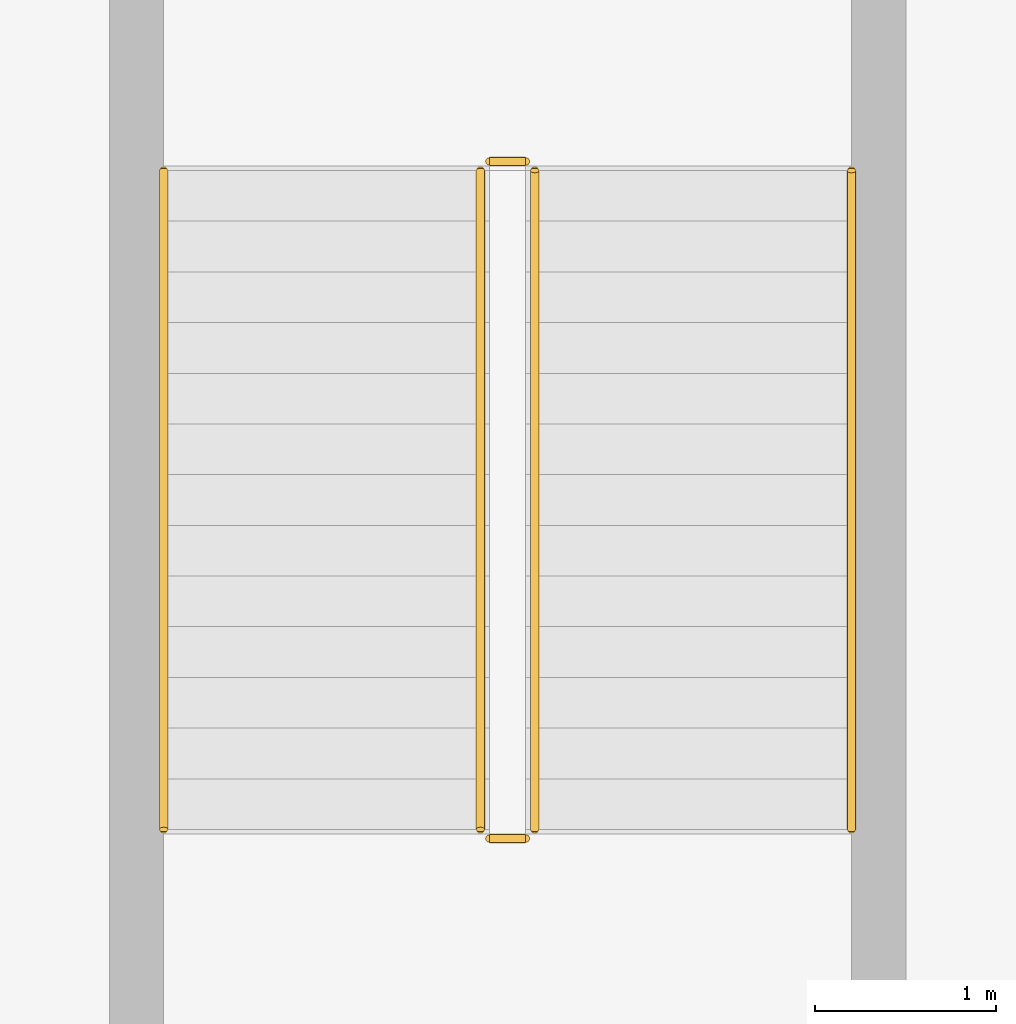
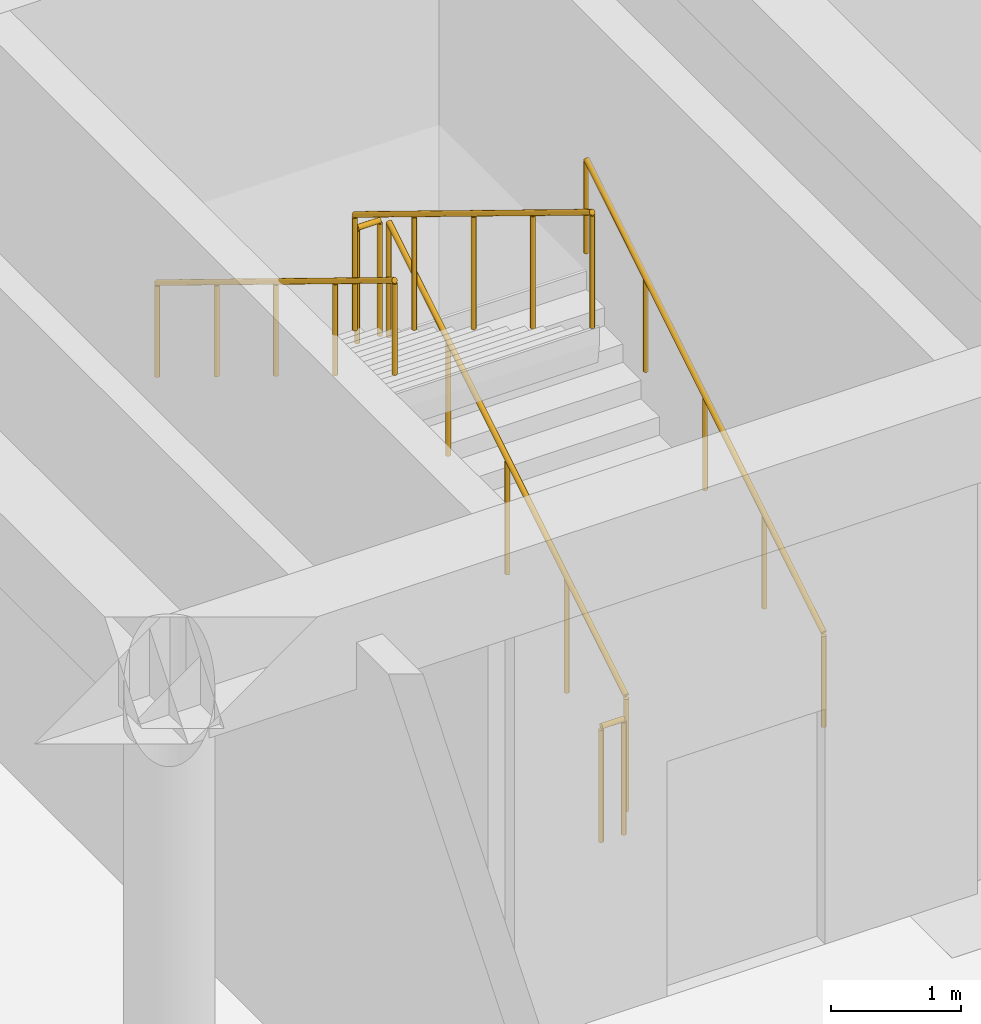
# One storey, part 37 of 51: 6 railings.
"""IFC4 building model written with IfcOpenShell, lengths in metres."""

from ifc_helpers import new_model, si_unit, direction, frame, origin, origin_2d, place, context, subcontext, project, spatial, circle, extrude, material, type_object, element, save


model = new_model("IFC4")

# Units and contexts
model_context = context("Model", 3, precision=1e-05, world=origin(), true_north=direction((0.0, 1.0)))
body_context = subcontext(model_context, "Body", "Model", "MODEL_VIEW")
ifc_project = project(units=[si_unit("LENGTHUNIT", "METRE"), si_unit("AREAUNIT", "SQUARE_METRE"), si_unit("VOLUMEUNIT", "CUBIC_METRE"), si_unit("PLANEANGLEUNIT", "RADIAN"), si_unit("MASSUNIT", "GRAM", prefix="KILO")], contexts=[model_context])

# Site, building, storey
site_placement = place(None, origin())
site = spatial("IfcSite", under=ifc_project, at=site_placement, CompositionType="ELEMENT")
building_placement = place(site_placement, origin())
building = spatial("IfcBuilding", under=site, at=building_placement, Name="Varncliffe General Hospital", CompositionType="ELEMENT")
storey_placement = place(building_placement, frame((0.0, 0.0, -4.800048828125)))
storey = spatial("IfcBuildingStorey", under=building, at=storey_placement, Name="B1", CompositionType="ELEMENT", Elevation=-4.800048828125)

# Railings
ifc_material = material(Name="Powder-coated hospital steel guardrail and handrail", Category="steel")
railing_type_1 = type_object("IfcRailingType", Name="Stair and Ramp Handrail HR46", PredefinedType="HANDRAIL", material=ifc_material)
railing_1_placement = place(storey_placement, frame((116.14990234375, 17.60009765625, 0.346923828125)))
element("IfcRailing", 1, at=railing_1_placement, inside=storey, type_object=railing_type_1, Name="B1 ST10 stair handrail 1", PredefinedType="HANDRAIL", context=body_context, shape_type="SweptSolid", body=[
    extrude(circle(Radius=0.02392578125, at=origin_2d()), frame((0.0, 0.0, 0.8759765625), z_axis=(0.0, 0.852850264322, 0.5221555579), x_axis=(-1.0, 0.0, 0.0)), (0.0, 0.0, 1.0), 4.267822265625),
    extrude(circle(Radius=0.02099609375, at=origin_2d()), origin(), (0.0, 0.0, 1.0), 0.851806640625),
    extrude(circle(Radius=0.02099609375, at=origin_2d()), frame((0.0, 0.909912109375, 0.55712890625)), (0.0, 0.0, 1.0), 0.851806640625),
    extrude(circle(Radius=0.02099609375, at=origin_2d()), frame((0.0, 1.81982421875, 1.1142578125)), (0.0, 0.0, 1.0), 0.851806640625),
    extrude(circle(Radius=0.02099609375, at=origin_2d()), frame((0.0, 2.72998046875, 1.67138671875)), (0.0, 0.0, 1.0), 0.851806640625),
    extrude(circle(Radius=0.02099609375, at=origin_2d()), frame((0.0, 3.639892578125, 2.228515625)), (0.0, 0.0, 1.0), 0.851806640625),
])
railing_2_placement = place(storey_placement, frame((112.35009765625, 21.239990234375, 2.746826171875)))
element("IfcRailing", 2, at=railing_2_placement, inside=storey, type_object=railing_type_1, Name="B1 ST10 stair handrail 2", PredefinedType="HANDRAIL", context=body_context, shape_type="SweptSolid", body=[
    extrude(circle(Radius=0.02392578125, at=origin_2d()), frame((0.0, 0.0, 0.8759765625), z_axis=(0.0, -0.852824790078, 0.522197163366), x_axis=(1.0, 0.0, 0.0)), (0.0, 0.0, 1.0), 4.26806640625),
    extrude(circle(Radius=0.02099609375, at=origin_2d()), origin(), (0.0, 0.0, 1.0), 0.851806640625),
    extrude(circle(Radius=0.02099609375, at=origin_2d()), frame((0.0, -0.909912109375, 0.55712890625)), (0.0, 0.0, 1.0), 0.851806640625),
    extrude(circle(Radius=0.02099609375, at=origin_2d()), frame((0.0, -1.81982421875, 1.1142578125)), (0.0, 0.0, 1.0), 0.851806640625),
    extrude(circle(Radius=0.02099609375, at=origin_2d()), frame((0.0, -2.72998046875, 1.671630859375)), (0.0, 0.0, 1.0), 0.851806640625),
    extrude(circle(Radius=0.02099609375, at=origin_2d()), frame((0.0, -3.639892578125, 2.228759765625)), (0.0, 0.0, 1.0), 0.851806640625),
])
railing_type_2 = type_object("IfcRailingType", Name="Stairwell Guardrail SG49", PredefinedType="GUARDRAIL", material=ifc_material)
railing_3_placement = place(storey_placement, frame((114.39990234375, 17.60009765625, 0.17138671875)))
element("IfcRailing", 3, at=railing_3_placement, inside=storey, type_object=railing_type_2, Name="B1 ST10 stair guard 1", PredefinedType="GUARDRAIL", context=body_context, shape_type="SweptSolid", body=[
    extrude(circle(Radius=0.02392578125, at=origin_2d()), frame((0.0, 0.0, 1.076171875), z_axis=(0.0, 0.852824790078, 0.522197163366), x_axis=(-1.0, 0.0, 0.0)), (0.0, 0.0, 1.0), 4.26806640625),
    extrude(circle(Radius=0.02099609375, at=origin_2d()), origin(), (0.0, 0.0, 1.0), 1.052001953125),
    extrude(circle(Radius=0.02099609375, at=origin_2d()), frame((0.0, 0.909912109375, 0.55712890625)), (0.0, 0.0, 1.0), 1.052001953125),
    extrude(circle(Radius=0.02099609375, at=origin_2d()), frame((0.0, 1.81982421875, 1.1142578125)), (0.0, 0.0, 1.0), 1.052001953125),
    extrude(circle(Radius=0.02099609375, at=origin_2d()), frame((0.0, 2.72998046875, 1.671630859375)), (0.0, 0.0, 1.0), 1.052001953125),
    extrude(circle(Radius=0.02099609375, at=origin_2d()), frame((0.0, 3.639892578125, 2.228759765625)), (0.0, 0.0, 1.0), 1.052001953125),
])
railing_4_placement = place(storey_placement, frame((114.35009765625, 21.2900390625, 2.400146484375)))
element("IfcRailing", 4, at=railing_4_placement, inside=storey, type_object=railing_type_2, Name="B1 ST10 stair guard 2", PredefinedType="GUARDRAIL", context=body_context, shape_type="SweptSolid", body=[
    extrude(circle(Radius=0.02392578125, at=origin_2d()), frame((0.0, 0.0, 1.076171875), z_axis=(-1.0, 0.0, 0.0), x_axis=(0.0, -1.0, 0.0)), (0.0, 0.0, 1.0), 0.2001953125),
    extrude(circle(Radius=0.02099609375, at=origin_2d()), origin(), (0.0, 0.0, 1.0), 1.052001953125),
    extrude(circle(Radius=0.02099609375, at=origin_2d()), frame((-0.2001953125, 0.0, 0.0)), (0.0, 0.0, 1.0), 1.052001953125),
])
railing_5_placement = place(storey_placement, frame((114.10009765625, 21.239990234375, 2.571533203125)))
element("IfcRailing", 5, at=railing_5_placement, inside=storey, type_object=railing_type_2, Name="B1 ST10 stair guard 3", PredefinedType="GUARDRAIL", context=body_context, shape_type="SweptSolid", body=[
    extrude(circle(Radius=0.02392578125, at=origin_2d()), frame((0.0, 0.0, 1.076171875), z_axis=(0.0, -0.852850264322, 0.5221555579), x_axis=(1.0, 0.0, 0.0)), (0.0, 0.0, 1.0), 4.267822265625),
    extrude(circle(Radius=0.02099609375, at=origin_2d()), origin(), (0.0, 0.0, 1.0), 1.052001953125),
    extrude(circle(Radius=0.02099609375, at=origin_2d()), frame((0.0, -0.909912109375, 0.55712890625)), (0.0, 0.0, 1.0), 1.052001953125),
    extrude(circle(Radius=0.02099609375, at=origin_2d()), frame((0.0, -1.81982421875, 1.1142578125)), (0.0, 0.0, 1.0), 1.052001953125),
    extrude(circle(Radius=0.02099609375, at=origin_2d()), frame((0.0, -2.72998046875, 1.67138671875)), (0.0, 0.0, 1.0), 1.052001953125),
    extrude(circle(Radius=0.02099609375, at=origin_2d()), frame((0.0, -3.639892578125, 2.228515625)), (0.0, 0.0, 1.0), 1.052001953125),
])
railing_6_placement = place(storey_placement, frame((114.35009765625, 17.550048828125, 0.0)))
element("IfcRailing", 6, at=railing_6_placement, inside=storey, type_object=railing_type_2, Name="B1 ST10 stair guard 4", PredefinedType="GUARDRAIL", context=body_context, shape_type="SweptSolid", body=[
    extrude(circle(Radius=0.02392578125, at=origin_2d()), frame((0.0, 0.0, 1.076171875), z_axis=(-1.0, 0.0, 0.0), x_axis=(0.0, -1.0, 0.0)), (0.0, 0.0, 1.0), 0.2001953125),
    extrude(circle(Radius=0.02099609375, at=origin_2d()), origin(), (0.0, 0.0, 1.0), 1.052001953125),
    extrude(circle(Radius=0.02099609375, at=origin_2d()), frame((-0.2001953125, 0.0, 0.0)), (0.0, 0.0, 1.0), 1.052001953125),
])

save(model, "model.ifc")
